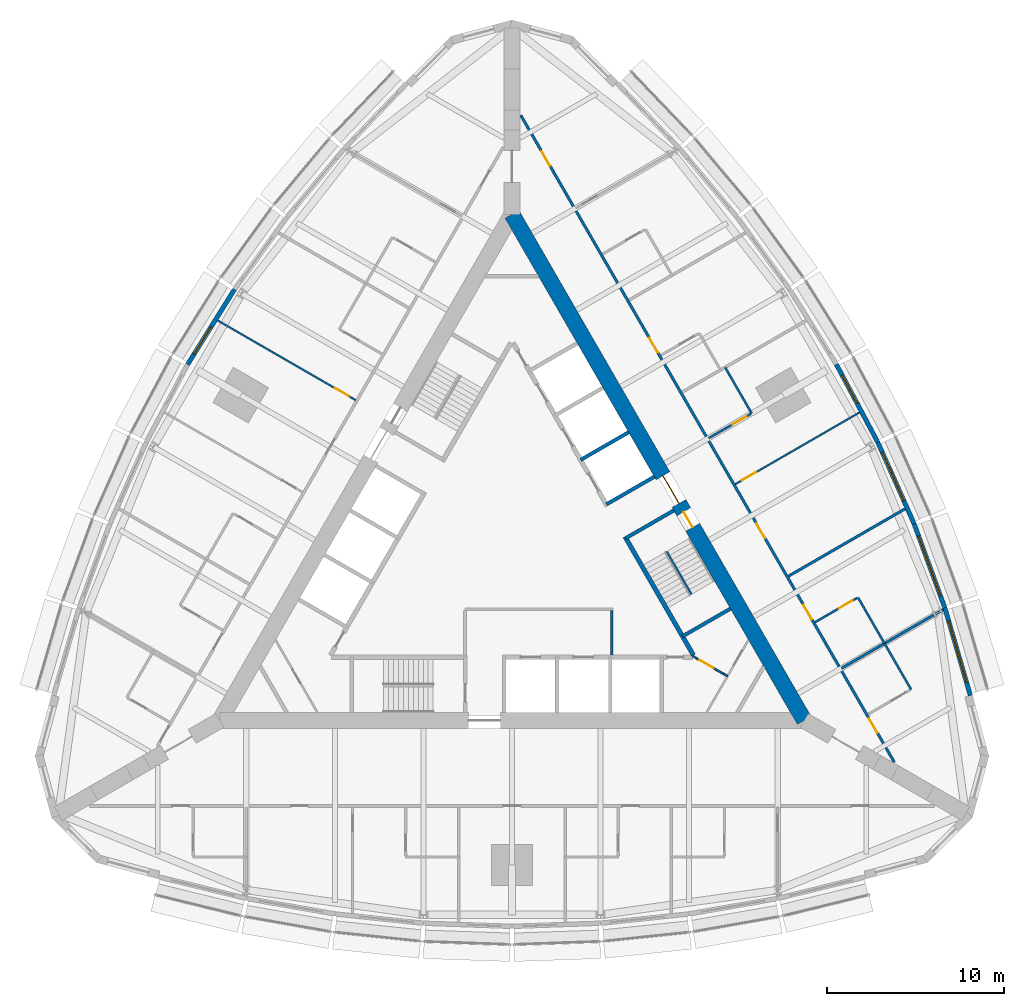
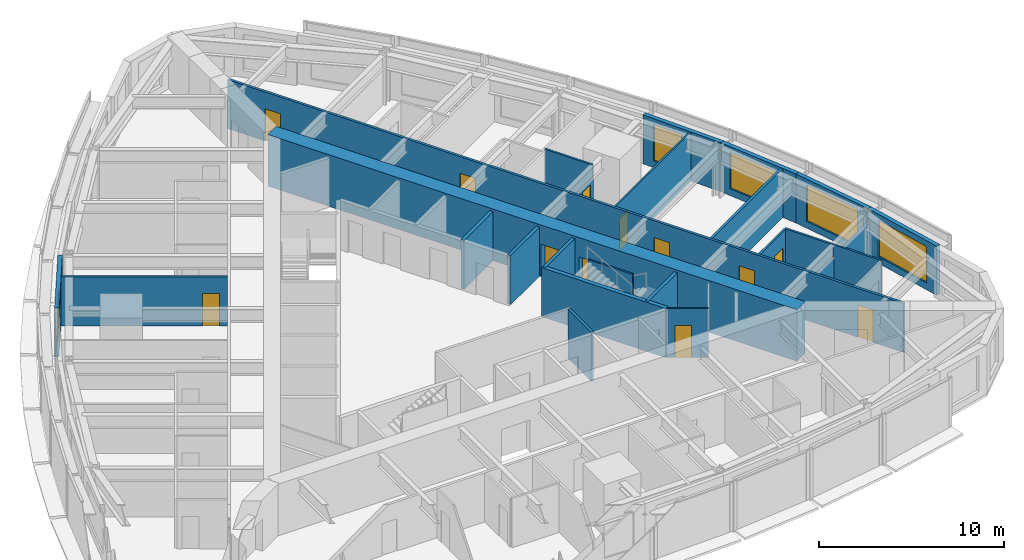
# One storey, part 11 of 14: 24 walls, 12 doors, 5 windows, 17 openings.
"""IFC4 building model written with IfcOpenShell, lengths in metres."""

from ifc_helpers import new_model, si_unit, direction, frame, frame_2d, origin, place, context, subcontext, project, spatial, rectangle, extrude, material, layer, layer_set, type_object, element, fill, save


model = new_model("IFC4")

# Units and contexts
model_context = context("Model", 3, precision=1e-05, world=origin(), true_north=direction((0.0, 1.0)))
body_context = subcontext(model_context, "Body", "Model", "MODEL_VIEW")
ifc_project = project(units=[si_unit("LENGTHUNIT", "METRE"), si_unit("AREAUNIT", "SQUARE_METRE"), si_unit("VOLUMEUNIT", "CUBIC_METRE"), si_unit("PLANEANGLEUNIT", "RADIAN"), si_unit("MASSUNIT", "GRAM", prefix="KILO")], contexts=[model_context])

# Site, building, storey
site_placement = place(None, origin())
site = spatial("IfcSite", under=ifc_project, at=site_placement, CompositionType="ELEMENT")
building_placement = place(site_placement, origin())
building = spatial("IfcBuilding", under=site, at=building_placement, Name="Trikona Tower", CompositionType="ELEMENT")
storey_placement = place(building_placement, frame((0.0, 0.0, 165.699951171875)))
storey = spatial("IfcBuildingStorey", under=building, at=storey_placement, Name="L44", CompositionType="ELEMENT", Elevation=165.699951171875)

# Walls
ifc_material_1 = material(Name="Metal stud and cement board", Category="gypsum")
ifc_layer_1 = layer(ifc_material_1, 0.1201171875)
ifc_layer_set_1 = layer_set([ifc_layer_1], Name="Bathroom wall 120")
wall_type_1 = type_object("IfcWallType", Name="Bathroom wall 120", PredefinedType="PLUMBINGWALL", material=ifc_layer_set_1)
for number, where, z_axis, x_axis, name in (
    (1, (22.53271484375, -7.775390625, 0.0), (0.0, 0.0, 1.0), (-0.499990139034, 0.866031096941, 0.0), "Bathroom wall 4405"),
    (2, (21.03271484375, -5.17724609375, 0.0), (0.0, 0.0, 1.0), (-0.499990139034, 0.866031096941, 0.0), "Bathroom wall 4406"),
):
    element("IfcWall", number, at=place(storey_placement, frame(where, z_axis=z_axis, x_axis=x_axis)), inside=storey, type_object=wall_type_1, Name=name, PredefinedType="PLUMBINGWALL", context=body_context, shape_type="SweptSolid", body=[
        extrude(rectangle(XDim=3.0, YDim=0.1201171875, at=frame_2d((1.5, 0.0))), origin(), (0.0, 0.0, 1.0), 3.235107421875),
    ])

# Wall, opening, door
wall_1_placement = place(storey_placement, frame((17.10791015625, -3.979248046875, 0.0), z_axis=(0.0, 0.0, 1.0), x_axis=(0.865997131366, 0.500048966069, 0.0)))
wall_1 = element("IfcWall", 3, at=wall_1_placement, inside=storey, type_object=wall_type_1, Name="Bathroom wall 4406", PredefinedType="PLUMBINGWALL", context=body_context, shape_type="SweptSolid", body=[
    extrude(rectangle(XDim=2.739990234375, YDim=0.1201171875, at=frame_2d((1.3701171875, 0.0))), origin(), (0.0, 0.0, 1.0), 3.235107421875),
])
opening_1_placement = place(wall_1_placement, frame((1.550048828125, 0.0, 0.0)))
opening_1 = element("IfcOpeningElement", 4, at=opening_1_placement, cuts=wall_1, Name="Opening D2", PredefinedType="OPENING", context=body_context, shape_type="SweptSolid", body=[
    extrude(rectangle(XDim=0.89990234375, YDim=2.1298828125, at=frame_2d((0.449951171875, 1.06494140625))), frame((0.0, 0.070068359375, 0.0), z_axis=(0.0, -1.0, 0.0), x_axis=(1.0, 0.0, 0.0)), (0.0, 0.0, 1.0), 0.14013671875),
])
ifc_material_2 = material(Name="Steel door frame with solid-core timber leaf", Category="steel")
door_type_1 = type_object("IfcDoorType", Name="Bathroom door 900x2130", OperationType="SLIDING_TO_LEFT", PredefinedType="DOOR", material=ifc_material_2)
door_1_placement = place(opening_1_placement, origin())
door_1 = element("IfcDoor", 5, at=door_1_placement, inside=storey, type_object=door_type_1, Name="Bathroom door 4406", OperationType="SLIDING_TO_LEFT", OverallHeight=2.1298828125, OverallWidth=0.89990234375, PredefinedType="DOOR", context=body_context, shape_type="SweptSolid", body=[
    extrude(rectangle(XDim=0.89990234375, YDim=2.1298828125, at=frame_2d((0.449951171875, 1.06494140625))), frame((0.0, 0.02490234375, 0.0), z_axis=(0.0, -1.0, 0.0), x_axis=(1.0, 0.0, 0.0)), (0.0, 0.0, 1.0), 0.050048828125),
])
fill(opening_1, door_1)

# Wall
wall_2_placement = place(storey_placement, frame((13.53271484375, 7.81298828125, 0.0), z_axis=(0.0, 0.0, 1.0), x_axis=(-0.499990139034, 0.866031096941, 0.0)))
element("IfcWall", 6, at=wall_2_placement, inside=storey, type_object=wall_type_1, Name="Bathroom wall 4407.1", PredefinedType="PLUMBINGWALL", context=body_context, shape_type="SweptSolid", body=[
    extrude(rectangle(XDim=3.0, YDim=0.1201171875, at=frame_2d((1.5, 0.0))), origin(), (0.0, 0.0, 1.0), 3.235107421875),
])

# Wall, opening, door
wall_3_placement = place(storey_placement, frame((11.10791015625, 6.4130859375, 0.0), z_axis=(0.0, 0.0, 1.0), x_axis=(0.865997131366, 0.500048966069, 0.0)))
wall_3 = element("IfcWall", 7, at=wall_3_placement, inside=storey, type_object=wall_type_1, Name="Bathroom wall 4407.1", PredefinedType="PLUMBINGWALL", context=body_context, shape_type="SweptSolid", body=[
    extrude(rectangle(XDim=2.739990234375, YDim=0.1201171875, at=frame_2d((1.3701171875, 0.0))), origin(), (0.0, 0.0, 1.0), 2.38916015625),
])
opening_2_placement = place(wall_3_placement, frame((1.550048828125, 0.0, 0.0)))
opening_2 = element("IfcOpeningElement", 8, at=opening_2_placement, cuts=wall_3, Name="Opening D2", PredefinedType="OPENING", context=body_context, shape_type="SweptSolid", body=[
    extrude(rectangle(XDim=0.89990234375, YDim=2.1298828125, at=frame_2d((0.449951171875, 1.06494140625))), frame((0.0, 0.070068359375, 0.0), z_axis=(0.0, -1.0, 0.0), x_axis=(1.0, 0.0, 0.0)), (0.0, 0.0, 1.0), 0.14013671875),
])
door_2_placement = place(opening_2_placement, origin())
door_2 = element("IfcDoor", 9, at=door_2_placement, inside=storey, type_object=door_type_1, Name="Bathroom door 4407.1", OperationType="SLIDING_TO_LEFT", OverallHeight=2.1298828125, OverallWidth=0.89990234375, PredefinedType="DOOR", context=body_context, shape_type="SweptSolid", body=[
    extrude(rectangle(XDim=0.89990234375, YDim=2.1298828125, at=frame_2d((0.449951171875, 1.06494140625))), frame((0.0, 0.02490234375, 0.0), z_axis=(0.0, -1.0, 0.0), x_axis=(1.0, 0.0, 0.0)), (0.0, 0.0, 1.0), 0.050048828125),
])
fill(opening_2, door_2)

# Wall, openings, doors
ifc_material_3 = material(Name="Concrete f'c 10000 psi", Category="concrete")
ifc_layer_2 = layer(ifc_material_3, 0.89990234375)
ifc_layer_set_2 = layer_set([ifc_layer_2], Name="Core wall 900")
wall_type_2 = type_object("IfcWallType", Name="Core wall 900", PredefinedType="SHEAR", material=ifc_layer_set_2)
wall_4_placement = place(storey_placement, frame((16.5, -9.5263671875, 0.0), z_axis=(0.0, 0.0, 1.0), x_axis=(-0.499999749417, 0.866025548458, 0.0)))
wall_4 = element("IfcWall", 10, at=wall_4_placement, inside=storey, type_object=wall_type_2, Name="Core wall B", PredefinedType="SHEAR", context=body_context, shape_type="SweptSolid", body=[
    extrude(rectangle(XDim=33.0, YDim=0.89990234375, at=frame_2d((16.5, 0.0))), origin(), (0.0, 0.0, 1.0), 3.400146484375),
])
opening_3_placement = place(wall_4_placement, frame((14.14990234375, 0.0, 0.0)))
opening_3 = element("IfcOpeningElement", 11, at=opening_3_placement, cuts=wall_4, Name="Opening D6", PredefinedType="OPENING", context=body_context, shape_type="SweptSolid", body=[
    extrude(rectangle(XDim=1.800048828125, YDim=2.1298828125, at=frame_2d((0.89990234375, 1.06494140625))), frame((0.0, 0.4599609375, 0.0), z_axis=(0.0, -1.0, 0.0), x_axis=(1.0, 0.0, 0.0)), (0.0, 0.0, 1.0), 0.919921875),
])
opening_4_placement = place(wall_4_placement, frame((12.60009765625, 0.0, 0.0)))
opening_4 = element("IfcOpeningElement", 12, at=opening_4_placement, cuts=wall_4, Name="Opening D5", PredefinedType="OPENING", context=body_context, shape_type="SweptSolid", body=[
    extrude(rectangle(XDim=1.0, YDim=2.1298828125, at=frame_2d((0.5, 1.06494140625))), frame((0.0, 0.4599609375, 0.0), z_axis=(0.0, -1.0, 0.0), x_axis=(1.0, 0.0, 0.0)), (0.0, 0.0, 1.0), 0.919921875),
])
ifc_material_4 = material(Name="Hollow metal door and frame", Category="steel")
door_type_2 = type_object("IfcDoorType", Name="Lobby door pair 1800x2130", OperationType="DOUBLE_DOOR_SINGLE_SWING", PredefinedType="DOOR", material=ifc_material_4)
door_3_placement = place(opening_3_placement, origin())
door_3 = element("IfcDoor", 13, at=door_3_placement, inside=storey, type_object=door_type_2, Name="Lift lobby door B", OperationType="DOUBLE_DOOR_SINGLE_SWING", OverallHeight=2.1298828125, OverallWidth=1.800048828125, PredefinedType="DOOR", context=body_context, shape_type="SweptSolid", body=[
    extrude(rectangle(XDim=1.800048828125, YDim=2.1298828125, at=frame_2d((0.89990234375, 1.06494140625))), frame((0.0, 0.02490234375, 0.0), z_axis=(0.0, -1.0, 0.0), x_axis=(1.0, 0.0, 0.0)), (0.0, 0.0, 1.0), 0.050048828125),
])
fill(opening_3, door_3)
ifc_material_5 = material(Name="Hollow metal door and frame", Category="steel")
door_type_3 = type_object("IfcDoorType", Name="Stair door 1000x2130", OperationType="SINGLE_SWING_LEFT", PredefinedType="DOOR", material=ifc_material_5)
door_4_placement = place(opening_4_placement, origin())
door_4 = element("IfcDoor", 14, at=door_4_placement, inside=storey, type_object=door_type_3, Name="Stair B door", OperationType="SINGLE_SWING_RIGHT", OverallHeight=2.1298828125, OverallWidth=1.0, PredefinedType="DOOR", context=body_context, shape_type="SweptSolid", body=[
    extrude(rectangle(XDim=1.0, YDim=2.1298828125, at=frame_2d((0.5, 1.06494140625))), frame((0.0, 0.02490234375, 0.0), z_axis=(0.0, -1.0, 0.0), x_axis=(1.0, 0.0, 0.0)), (0.0, 0.0, 1.0), 0.050048828125),
])
fill(opening_4, door_4)

ifc_material_6 = material(Name="Metal stud and gypsum board, 1-hour", Category="gypsum")
ifc_layer_3 = layer(ifc_material_6, 0.14990234375)
ifc_layer_set_3 = layer_set([ifc_layer_3], Name="Corridor wall 150")
wall_type_3 = type_object("IfcWallType", Name="Corridor wall 150", PredefinedType="PARTITIONING", material=ifc_layer_set_3)
wall_5_placement = place(storey_placement, frame((21.5859375, -11.88525390625, 0.0), z_axis=(0.0, 0.0, 1.0), x_axis=(-0.500001915564, 0.86602429783, 0.0)))
wall_5 = element("IfcWall", 15, at=wall_5_placement, inside=storey, type_object=wall_type_3, Name="Corridor wall L44-2", PredefinedType="PARTITIONING", context=body_context, shape_type="SweptSolid", body=[
    extrude(rectangle(XDim=42.171630859375, YDim=0.14990234375, at=frame_2d((21.0859375, 0.0))), origin(), (0.0, 0.0, 1.0), 3.235107421875),
])
opening_5_placement = place(wall_5_placement, frame((1.910888671875, 0.0, 0.0)))
opening_5 = element("IfcOpeningElement", 16, at=opening_5_placement, cuts=wall_5, Name="Opening D1", PredefinedType="OPENING", context=body_context, shape_type="SweptSolid", body=[
    extrude(rectangle(XDim=0.949951171875, YDim=2.1298828125, at=frame_2d((0.47509765625, 1.06494140625))), frame((0.0, 0.0849609375, 0.0), z_axis=(0.0, -1.0, 0.0), x_axis=(1.0, 0.0, 0.0)), (0.0, 0.0, 1.0), 0.169921875),
])
opening_6_placement = place(wall_5_placement, frame((9.310791015625, 0.0, 0.0)))
opening_6 = element("IfcOpeningElement", 17, at=opening_6_placement, cuts=wall_5, Name="Opening D1", PredefinedType="OPENING", context=body_context, shape_type="SweptSolid", body=[
    extrude(rectangle(XDim=0.949951171875, YDim=2.1298828125, at=frame_2d((0.47509765625, 1.06494140625))), frame((0.0, 0.0849609375, 0.0), z_axis=(0.0, -1.0, 0.0), x_axis=(1.0, 0.0, 0.0)), (0.0, 0.0, 1.0), 0.169921875),
])
opening_7_placement = place(wall_5_placement, frame((14.61083984375, 0.0, 0.0)))
opening_7 = element("IfcOpeningElement", 18, at=opening_7_placement, cuts=wall_5, Name="Opening D1", PredefinedType="OPENING", context=body_context, shape_type="SweptSolid", body=[
    extrude(rectangle(XDim=0.949951171875, YDim=2.1298828125, at=frame_2d((0.47509765625, 1.06494140625))), frame((0.0, 0.0849609375, 0.0), z_axis=(0.0, -1.0, 0.0), x_axis=(1.0, 0.0, 0.0)), (0.0, 0.0, 1.0), 0.169921875),
])
opening_8_placement = place(wall_5_placement, frame((26.7109375, 0.0, 0.0)))
opening_8 = element("IfcOpeningElement", 19, at=opening_8_placement, cuts=wall_5, Name="Opening D1", PredefinedType="OPENING", context=body_context, shape_type="SweptSolid", body=[
    extrude(rectangle(XDim=0.949951171875, YDim=2.1298828125, at=frame_2d((0.47509765625, 1.06494140625))), frame((0.0, 0.0849609375, 0.0), z_axis=(0.0, -1.0, 0.0), x_axis=(1.0, 0.0, 0.0)), (0.0, 0.0, 1.0), 0.169921875),
])
opening_9_placement = place(wall_5_placement, frame((38.884033203125, 0.0, 0.0)))
opening_9 = element("IfcOpeningElement", 20, at=opening_9_placement, cuts=wall_5, Name="Opening D1", PredefinedType="OPENING", context=body_context, shape_type="SweptSolid", body=[
    extrude(rectangle(XDim=0.949951171875, YDim=2.1298828125, at=frame_2d((0.47509765625, 1.06494140625))), frame((0.0, 0.0849609375, 0.0), z_axis=(0.0, -1.0, 0.0), x_axis=(1.0, 0.0, 0.0)), (0.0, 0.0, 1.0), 0.169921875),
])
ifc_material_7 = material(Name="Steel door frame with solid-core timber leaf", Category="steel")
door_type_4 = type_object("IfcDoorType", Name="Guest room door 950x2130", OperationType="SINGLE_SWING_LEFT", PredefinedType="DOOR", material=ifc_material_7)
door_5_placement = place(opening_5_placement, origin())
door_5 = element("IfcDoor", 21, at=door_5_placement, inside=storey, type_object=door_type_4, Name="Room door 4405", OperationType="SINGLE_SWING_LEFT", OverallHeight=2.1298828125, OverallWidth=0.949951171875, PredefinedType="DOOR", context=body_context, shape_type="SweptSolid", body=[
    extrude(rectangle(XDim=0.949951171875, YDim=2.1298828125, at=frame_2d((0.47509765625, 1.06494140625))), frame((0.0, 0.02490234375, 0.0), z_axis=(0.0, -1.0, 0.0), x_axis=(1.0, 0.0, 0.0)), (0.0, 0.0, 1.0), 0.050048828125),
])
fill(opening_5, door_5)
door_6_placement = place(opening_6_placement, origin())
door_6 = element("IfcDoor", 22, at=door_6_placement, inside=storey, type_object=door_type_4, Name="Room door 4406", OperationType="SINGLE_SWING_RIGHT", OverallHeight=2.1298828125, OverallWidth=0.949951171875, PredefinedType="DOOR", context=body_context, shape_type="SweptSolid", body=[
    extrude(rectangle(XDim=0.949951171875, YDim=2.1298828125, at=frame_2d((0.47509765625, 1.06494140625))), frame((0.0, 0.02490234375, 0.0), z_axis=(0.0, -1.0, 0.0), x_axis=(1.0, 0.0, 0.0)), (0.0, 0.0, 1.0), 0.050048828125),
])
fill(opening_6, door_6)
door_7_placement = place(opening_7_placement, origin())
door_7 = element("IfcDoor", 23, at=door_7_placement, inside=storey, type_object=door_type_4, Name="Room door 4407", OperationType="SINGLE_SWING_LEFT", OverallHeight=2.1298828125, OverallWidth=0.949951171875, PredefinedType="DOOR", context=body_context, shape_type="SweptSolid", body=[
    extrude(rectangle(XDim=0.949951171875, YDim=2.1298828125, at=frame_2d((0.47509765625, 1.06494140625))), frame((0.0, 0.02490234375, 0.0), z_axis=(0.0, -1.0, 0.0), x_axis=(1.0, 0.0, 0.0)), (0.0, 0.0, 1.0), 0.050048828125),
])
fill(opening_7, door_7)
door_8_placement = place(opening_8_placement, origin())
door_8 = element("IfcDoor", 24, at=door_8_placement, inside=storey, type_object=door_type_4, Name="Room door 4408", OperationType="SINGLE_SWING_RIGHT", OverallHeight=2.1298828125, OverallWidth=0.949951171875, PredefinedType="DOOR", context=body_context, shape_type="SweptSolid", body=[
    extrude(rectangle(XDim=0.949951171875, YDim=2.1298828125, at=frame_2d((0.47509765625, 1.06494140625))), frame((0.0, 0.02490234375, 0.0), z_axis=(0.0, -1.0, 0.0), x_axis=(1.0, 0.0, 0.0)), (0.0, 0.0, 1.0), 0.050048828125),
])
fill(opening_8, door_8)
door_9_placement = place(opening_9_placement, origin())
door_9 = element("IfcDoor", 25, at=door_9_placement, inside=storey, type_object=door_type_4, Name="Room door 4409", OperationType="SINGLE_SWING_RIGHT", OverallHeight=2.1298828125, OverallWidth=0.949951171875, PredefinedType="DOOR", context=body_context, shape_type="SweptSolid", body=[
    extrude(rectangle(XDim=0.949951171875, YDim=2.1298828125, at=frame_2d((0.47509765625, 1.06494140625))), frame((0.0, 0.02490234375, 0.0), z_axis=(0.0, -1.0, 0.0), x_axis=(1.0, 0.0, 0.0)), (0.0, 0.0, 1.0), 0.050048828125),
])
fill(opening_9, door_9)

# Wall
ifc_material_8 = material(Name="Concrete f'c 8000 psi", Category="concrete")
ifc_layer_4 = layer(ifc_material_8, 0.25)
ifc_layer_set_4 = layer_set([ifc_layer_4], Name="Hub wall 250")
wall_type_4 = type_object("IfcWallType", Name="Hub wall 250", PredefinedType="SOLIDWALL", material=ifc_layer_set_4)
wall_6_placement = place(storey_placement, frame((10.245361328125, -5.843017578125, 0.0), z_axis=(0.0, 0.0, 1.0), x_axis=(-0.499993009313, 0.866029439822, 0.0)))
element("IfcWall", 26, at=wall_6_placement, inside=storey, type_object=wall_type_4, Name="Lift lobby wall B1", PredefinedType="SOLIDWALL", context=body_context, shape_type="SweptSolid", body=[
    extrude(rectangle(XDim=7.73291015625, YDim=0.25, at=frame_2d((3.866455078125, 0.0))), origin(), (0.0, 0.0, 1.0), 3.235107421875),
])

# Wall, opening, window
ifc_material_9 = material(Name="Insulated precast concrete spandrel panel", Category="concrete")
ifc_layer_5 = layer(ifc_material_9, 0.25)
ifc_layer_set_5 = layer_set([ifc_layer_5], Name="Inner skin wall 250")
wall_type_5 = type_object("IfcWallType", Name="Inner skin wall 250", PredefinedType="STANDARD", material=ifc_layer_set_5)
wall_7_placement = place(storey_placement, frame((25.8798828125, -8.117919921875, 0.0), z_axis=(0.0, 0.0, 1.0), x_axis=(-0.279528287117, 0.960137457191, 0.0)))
wall_7 = element("IfcWall", 27, at=wall_7_placement, inside=storey, type_object=wall_type_5, Name="External wall L44-12", PredefinedType="STANDARD", context=body_context, shape_type="SweptSolid", body=[
    extrude(rectangle(XDim=5.14794921875, YDim=0.25, at=frame_2d((2.573974609375, 0.0))), origin(), (0.0, 0.0, 1.0), 3.235107421875),
])
opening_10_placement = place(wall_7_placement, frame((0.77392578125, 0.0, 0.449951171875)))
opening_10 = element("IfcOpeningElement", 28, at=opening_10_placement, cuts=wall_7, Name="Opening W3624", PredefinedType="OPENING", context=body_context, shape_type="SweptSolid", body=[
    extrude(rectangle(XDim=3.60009765625, YDim=2.39990234375, at=frame_2d((1.800048828125, 1.199951171875))), frame((0.0, 0.135009765625, 0.0), z_axis=(0.0, -1.0, 0.0), x_axis=(1.0, 0.0, 0.0)), (0.0, 0.0, 1.0), 0.27001953125),
])
ifc_material_10 = material(Name="Aluminium-framed double glazing", Category="aluminium")
window_type_1 = type_object("IfcWindowType", Name="Window 3600x2400", PartitioningType="SINGLE_PANEL", PredefinedType="WINDOW", material=ifc_material_10)
window_1_placement = place(opening_10_placement, origin())
window_1 = element("IfcWindow", 29, at=window_1_placement, inside=storey, type_object=window_type_1, Name="Window 4405", OverallHeight=2.39990234375, OverallWidth=3.60009765625, PartitioningType="SINGLE_PANEL", PredefinedType="WINDOW", context=body_context, shape_type="SweptSolid", body=[
    extrude(rectangle(XDim=3.60009765625, YDim=2.39990234375, at=frame_2d((1.800048828125, 1.199951171875))), frame((0.0, 0.030029296875, 0.0), z_axis=(0.0, -1.0, 0.0), x_axis=(1.0, 0.0, 0.0)), (0.0, 0.0, 1.0), 0.06005859375),
])
fill(opening_10, window_1)

wall_8_placement = place(storey_placement, frame((24.443603515625, -3.18310546875, 0.0), z_axis=(0.0, 0.0, 1.0), x_axis=(-0.343225593282, 0.939252996863, 0.0)))
wall_8 = element("IfcWall", 30, at=wall_8_placement, inside=storey, type_object=wall_type_5, Name="External wall L44-13", PredefinedType="STANDARD", context=body_context, shape_type="SweptSolid", body=[
    extrude(rectangle(XDim=5.075927734375, YDim=0.25, at=frame_2d((2.5380859375, 0.0))), origin(), (0.0, 0.0, 1.0), 3.235107421875),
])
opening_11_placement = place(wall_8_placement, frame((0.738037109375, 0.0, 0.449951171875)))
opening_11 = element("IfcOpeningElement", 31, at=opening_11_placement, cuts=wall_8, Name="Opening W3624", PredefinedType="OPENING", context=body_context, shape_type="SweptSolid", body=[
    extrude(rectangle(XDim=3.60009765625, YDim=2.39990234375, at=frame_2d((1.800048828125, 1.199951171875))), frame((0.0, 0.135009765625, 0.0), z_axis=(0.0, -1.0, 0.0), x_axis=(1.0, 0.0, 0.0)), (0.0, 0.0, 1.0), 0.27001953125),
])
window_2_placement = place(opening_11_placement, origin())
window_2 = element("IfcWindow", 32, at=window_2_placement, inside=storey, type_object=window_type_1, Name="Window 4406", OverallHeight=2.39990234375, OverallWidth=3.60009765625, PartitioningType="SINGLE_PANEL", PredefinedType="WINDOW", context=body_context, shape_type="SweptSolid", body=[
    extrude(rectangle(XDim=3.60009765625, YDim=2.39990234375, at=frame_2d((1.800048828125, 1.199951171875))), frame((0.0, 0.030029296875, 0.0), z_axis=(0.0, -1.0, 0.0), x_axis=(1.0, 0.0, 0.0)), (0.0, 0.0, 1.0), 0.06005859375),
])
fill(opening_11, window_2)

wall_9_placement = place(storey_placement, frame((22.70458984375, 1.576416015625, 0.0), z_axis=(0.0, 0.0, 1.0), x_axis=(-0.406832200364, 0.913502906808, 0.0)))
wall_9 = element("IfcWall", 33, at=wall_9_placement, inside=storey, type_object=wall_type_5, Name="External wall L44-14", PredefinedType="STANDARD", context=body_context, shape_type="SweptSolid", body=[
    extrude(rectangle(XDim=5.027587890625, YDim=0.25, at=frame_2d((2.513671875, 0.0))), origin(), (0.0, 0.0, 1.0), 3.235107421875),
])
opening_12_placement = place(wall_9_placement, frame((1.41796875, 0.0, 0.449951171875)))
opening_12 = element("IfcOpeningElement", 34, at=opening_12_placement, cuts=wall_9, Name="Opening W3024", PredefinedType="OPENING", context=body_context, shape_type="SweptSolid", body=[
    extrude(rectangle(XDim=3.0, YDim=2.39990234375, at=frame_2d((1.5, 1.199951171875))), frame((0.0, 0.135009765625, 0.0), z_axis=(0.0, -1.0, 0.0), x_axis=(1.0, 0.0, 0.0)), (0.0, 0.0, 1.0), 0.27001953125),
])
ifc_material_11 = material(Name="Aluminium-framed double glazing", Category="aluminium")
window_type_2 = type_object("IfcWindowType", Name="Window 3000x2400", PartitioningType="SINGLE_PANEL", PredefinedType="WINDOW", material=ifc_material_11)
window_3_placement = place(opening_12_placement, origin())
window_3 = element("IfcWindow", 35, at=window_3_placement, inside=storey, type_object=window_type_2, Name="Window 4407", OverallHeight=2.39990234375, OverallWidth=3.0, PartitioningType="SINGLE_PANEL", PredefinedType="WINDOW", context=body_context, shape_type="SweptSolid", body=[
    extrude(rectangle(XDim=3.0, YDim=2.39990234375, at=frame_2d((1.5, 1.199951171875))), frame((0.0, 0.030029296875, 0.0), z_axis=(0.0, -1.0, 0.0), x_axis=(1.0, 0.0, 0.0)), (0.0, 0.0, 1.0), 0.06005859375),
])
fill(opening_12, window_3)

wall_10_placement = place(storey_placement, frame((20.662841796875, 6.161376953125, 0.0), z_axis=(0.0, 0.0, 1.0), x_axis=(-0.469404966864, 0.882982999317, 0.0)))
wall_10 = element("IfcWall", 36, at=wall_10_placement, inside=storey, type_object=wall_type_5, Name="External wall L44-15", PredefinedType="STANDARD", context=body_context, shape_type="SweptSolid", body=[
    extrude(rectangle(XDim=5.0029296875, YDim=0.25, at=frame_2d((2.50146484375, 0.0))), origin(), (0.0, 0.0, 1.0), 3.235107421875),
])
opening_13_placement = place(wall_10_placement, frame((2.519287109375, 0.0, 0.449951171875)))
opening_13 = element("IfcOpeningElement", 37, at=opening_13_placement, cuts=wall_10, Name="Opening W1824", PredefinedType="OPENING", context=body_context, shape_type="SweptSolid", body=[
    extrude(rectangle(XDim=1.800048828125, YDim=2.39990234375, at=frame_2d((0.89990234375, 1.199951171875))), frame((0.0, 0.135009765625, 0.0), z_axis=(0.0, -1.0, 0.0), x_axis=(1.0, 0.0, 0.0)), (0.0, 0.0, 1.0), 0.27001953125),
])
ifc_material_12 = material(Name="Aluminium-framed double glazing", Category="aluminium")
window_type_3 = type_object("IfcWindowType", Name="Window 1800x2400", PartitioningType="SINGLE_PANEL", PredefinedType="WINDOW", material=ifc_material_12)
window_4_placement = place(opening_13_placement, origin())
window_4 = element("IfcWindow", 38, at=window_4_placement, inside=storey, type_object=window_type_3, Name="Window 4407.1", OverallHeight=2.39990234375, OverallWidth=1.800048828125, PartitioningType="SINGLE_PANEL", PredefinedType="WINDOW", context=body_context, shape_type="SweptSolid", body=[
    extrude(rectangle(XDim=1.800048828125, YDim=2.39990234375, at=frame_2d((0.89990234375, 1.199951171875))), frame((0.0, 0.030029296875, 0.0), z_axis=(0.0, -1.0, 0.0), x_axis=(1.0, 0.0, 0.0)), (0.0, 0.0, 1.0), 0.06005859375),
])
fill(opening_13, window_4)

wall_11_placement = place(storey_placement, frame((-15.667236328125, 14.81396484375, 0.0), z_axis=(0.0, 0.0, 1.0), x_axis=(-0.529990167382, -0.84800378683, 0.0)))
wall_11 = element("IfcWall", 39, at=wall_11_placement, inside=storey, type_object=wall_type_5, Name="External wall L44-27", PredefinedType="STANDARD", context=body_context, shape_type="SweptSolid", body=[
    extrude(rectangle(XDim=5.003173828125, YDim=0.25, at=frame_2d((2.50146484375, 0.0))), origin(), (0.0, 0.0, 1.0), 3.235107421875),
])
opening_14_placement = place(wall_11_placement, frame((2.519287109375, 0.0, 0.449951171875)))
opening_14 = element("IfcOpeningElement", 40, at=opening_14_placement, cuts=wall_11, Name="Opening W1824", PredefinedType="OPENING", context=body_context, shape_type="SweptSolid", body=[
    extrude(rectangle(XDim=1.800048828125, YDim=2.39990234375, at=frame_2d((0.89990234375, 1.199951171875))), frame((0.0, 0.135009765625, 0.0), z_axis=(0.0, -1.0, 0.0), x_axis=(1.0, 0.0, 0.0)), (0.0, 0.0, 1.0), 0.27001953125),
])
window_5_placement = place(opening_14_placement, origin())
window_5 = element("IfcWindow", 41, at=window_5_placement, inside=storey, type_object=window_type_3, Name="Window 4411", OverallHeight=2.39990234375, OverallWidth=1.800048828125, PartitioningType="SINGLE_PANEL", PredefinedType="WINDOW", context=body_context, shape_type="SweptSolid", body=[
    extrude(rectangle(XDim=1.800048828125, YDim=2.39990234375, at=frame_2d((0.89990234375, 1.199951171875))), frame((0.0, 0.030029296875, 0.0), z_axis=(0.0, -1.0, 0.0), x_axis=(1.0, 0.0, 0.0)), (0.0, 0.0, 1.0), 0.06005859375),
])
fill(opening_14, window_5)

# Walls
ifc_material_13 = material(Name="Metal stud and gypsum board, 2-hour shaft wall", Category="gypsum")
ifc_layer_6 = layer(ifc_material_13, 0.14990234375)
ifc_layer_set_6 = layer_set([ifc_layer_6], Name="Lobby wall 150")
wall_type_6 = type_object("IfcWallType", Name="Lobby wall 150", PredefinedType="PARTITIONING", material=ifc_layer_set_6)
wall_12_placement = place(storey_placement, frame((5.625, -5.826416015625, 0.0), z_axis=(0.0, 0.0, 1.0), x_axis=(0.0, 1.0, 0.0)))
element("IfcWall", 42, at=wall_12_placement, inside=storey, type_object=wall_type_6, Name="Fire service lift lobby wall 3", PredefinedType="PARTITIONING", context=body_context, shape_type="SweptSolid", body=[
    extrude(rectangle(XDim=2.5, YDim=0.14990234375, at=frame_2d((1.25, 0.0))), origin(), (0.0, 0.0, 1.0), 3.235107421875),
])
ifc_material_14 = material(Name="Metal stud and gypsum board, 1-hour acoustic", Category="gypsum")
ifc_layer_7 = layer(ifc_material_14, 0.14990234375)
ifc_layer_set_7 = layer_set([ifc_layer_7], Name="Party wall 150")
wall_type_7 = type_object("IfcWallType", Name="Party wall 150", PredefinedType="PARTITIONING", material=ifc_layer_set_7)
wall_13_placement = place(storey_placement, frame((18.60791015625, -6.5771484375, 0.0), z_axis=(0.0, 0.0, 1.0), x_axis=(0.866031967744, 0.499988630717, 0.0)))
element("IfcWall", 43, at=wall_13_placement, inside=storey, type_object=wall_type_7, Name="Partition L44 F2 u-15", PredefinedType="PARTITIONING", context=body_context, shape_type="SweptSolid", body=[
    extrude(rectangle(XDim=6.616455078125, YDim=0.14990234375, at=frame_2d((3.30810546875, 0.0))), origin(), (0.0, 0.0, 1.0), 2.38916015625),
])
wall_14_placement = place(storey_placement, frame((15.60791015625, -1.381103515625, 0.0), z_axis=(0.0, 0.0, 1.0), x_axis=(0.866025154315, 0.500000432093, 0.0)))
element("IfcWall", 44, at=wall_14_placement, inside=storey, type_object=wall_type_7, Name="Partition L44 F2 u-9", PredefinedType="PARTITIONING", context=body_context, shape_type="SweptSolid", body=[
    extrude(rectangle(XDim=7.6025390625, YDim=0.14990234375, at=frame_2d((3.80126953125, 0.0))), origin(), (0.0, 0.0, 1.0), 3.235107421875),
])
ifc_material_15 = material(Name="Concrete f'c 8000 psi", Category="concrete")
ifc_layer_8 = layer(ifc_material_15, 0.199951171875)
ifc_layer_set_8 = layer_set([ifc_layer_8], Name="Shaft wall 200")
wall_type_8 = type_object("IfcWallType", Name="Shaft wall 200", PredefinedType="SOLIDWALL", material=ifc_layer_set_8)
for number, where, z_axis, x_axis, name in (
    (45, (5.3291015625, 2.672607421875, 0.0), (0.0, 0.0, 1.0), (0.866022959057, 0.500004234368, 0.0), "Shaft wall B3"),
    (46, (3.87890625, 5.18408203125, 0.0), (0.0, 0.0, 1.0), (0.866022959057, 0.500004234368, 0.0), "Shaft wall B4"),
):
    element("IfcWall", number, at=place(storey_placement, frame(where, z_axis=z_axis, x_axis=x_axis)), inside=storey, type_object=wall_type_8, Name=name, PredefinedType="SOLIDWALL", context=body_context, shape_type="SweptSolid", body=[
        extrude(rectangle(XDim=3.125, YDim=0.199951171875, at=frame_2d((1.5625, 0.0))), origin(), (0.0, 0.0, 1.0), 3.235107421875),
    ])
ifc_material_16 = material(Name="Concrete f'c 8000 psi", Category="concrete")
ifc_layer_9 = layer(ifc_material_16, 0.199951171875)
ifc_layer_set_9 = layer_set([ifc_layer_9], Name="Shaft wall 200 load-bearing")
wall_type_9 = type_object("IfcWallType", Name="Shaft wall 200 load-bearing", PredefinedType="SOLIDWALL", material=ifc_layer_set_9)
for number, where, z_axis, x_axis, name in (
    (47, (9.62890625, -4.775390625, 0.0), (0.0, 0.0, 1.0), (0.866022959057, 0.500004234368, 0.0), "Shaft wall B1"),
    (48, (6.428955078125, 0.767333984375, 0.0), (0.0, 0.0, 1.0), (0.866022959057, 0.500004234368, 0.0), "Shaft wall B2"),
):
    element("IfcWall", number, at=place(storey_placement, frame(where, z_axis=z_axis, x_axis=x_axis)), inside=storey, type_object=wall_type_9, Name=name, PredefinedType="SOLIDWALL", context=body_context, shape_type="SweptSolid", body=[
        extrude(rectangle(XDim=3.125, YDim=0.199951171875, at=frame_2d((1.5625, 0.0))), origin(), (0.0, 0.0, 1.0), 3.235107421875),
    ])
ifc_material_17 = material(Name="Concrete f'c 5000 psi", Category="concrete")
ifc_layer_10 = layer(ifc_material_17, 0.10009765625)
ifc_layer_set_10 = layer_set([ifc_layer_10], Name="Stair spine wall 100")
wall_type_10 = type_object("IfcWallType", Name="Stair spine wall 100", PredefinedType="SOLIDWALL", material=ifc_layer_set_10)
wall_15_placement = place(storey_placement, frame((10.134765625, -2.4013671875, 0.0), z_axis=(0.0, 0.0, 1.0), x_axis=(-0.499992232847, 0.866029888106, 0.0)))
element("IfcWall", 49, at=wall_15_placement, inside=storey, type_object=wall_type_10, Name="Stair B spine wall L44", PredefinedType="SOLIDWALL", context=body_context, shape_type="SweptSolid", body=[
    extrude(rectangle(XDim=2.7939453125, YDim=0.10009765625, at=frame_2d((1.39697265625, 0.0))), origin(), (0.0, 0.0, 1.0), 3.400146484375),
])

# Wall, opening, door
ifc_material_18 = material(Name="Metal stud and gypsum board, acoustic", Category="gypsum")
ifc_layer_11 = layer(ifc_material_18, 0.10009765625)
ifc_layer_set_11 = layer_set([ifc_layer_11], Name="Suite partition 100")
wall_type_11 = type_object("IfcWallType", Name="Suite partition 100", PredefinedType="PARTITIONING", material=ifc_layer_set_11)
wall_16_placement = place(storey_placement, frame((12.60791015625, 3.815185546875, 0.0), z_axis=(0.0, 0.0, 1.0), x_axis=(0.866021827868, 0.500006193617, 0.0)))
wall_16 = element("IfcWall", 50, at=wall_16_placement, inside=storey, type_object=wall_type_11, Name="Suite partition L44 F2 u-3", PredefinedType="PARTITIONING", context=body_context, shape_type="SweptSolid", body=[
    extrude(rectangle(XDim=8.09375, YDim=0.10009765625, at=frame_2d((4.046875, 0.0))), origin(), (0.0, 0.0, 1.0), 3.235107421875),
])
opening_15_placement = place(wall_16_placement, frame((0.449951171875, 0.0, 0.0)))
opening_15 = element("IfcOpeningElement", 51, at=opening_15_placement, cuts=wall_16, Name="Opening D13", PredefinedType="OPENING", context=body_context, shape_type="SweptSolid", body=[
    extrude(rectangle(XDim=0.89990234375, YDim=2.1298828125, at=frame_2d((0.449951171875, 1.06494140625))), frame((0.0, 0.06005859375, 0.0), z_axis=(0.0, -1.0, 0.0), x_axis=(1.0, 0.0, 0.0)), (0.0, 0.0, 1.0), 0.1201171875),
])
ifc_material_19 = material(Name="Steel door frame with solid-core timber leaf", Category="steel")
door_type_5 = type_object("IfcDoorType", Name="Suite door 900x2130", OperationType="SINGLE_SWING_LEFT", PredefinedType="DOOR", material=ifc_material_19)
door_10_placement = place(opening_15_placement, origin())
door_10 = element("IfcDoor", 52, at=door_10_placement, inside=storey, type_object=door_type_5, Name="Suite door 4407", OperationType="SINGLE_SWING_LEFT", OverallHeight=2.1298828125, OverallWidth=0.89990234375, PredefinedType="DOOR", context=body_context, shape_type="SweptSolid", body=[
    extrude(rectangle(XDim=0.89990234375, YDim=2.1298828125, at=frame_2d((0.449951171875, 1.06494140625))), frame((0.0, 0.02490234375, 0.0), z_axis=(0.0, -1.0, 0.0), x_axis=(1.0, 0.0, 0.0)), (0.0, 0.0, 1.0), 0.050048828125),
])
fill(opening_15, door_10)

wall_17_placement = place(storey_placement, frame((-8.82861328125, 8.561279296875, 0.0), z_axis=(0.0, 0.0, 1.0), x_axis=(-0.866021034389, 0.500007567939, 0.0)))
wall_17 = element("IfcWall", 53, at=wall_17_placement, inside=storey, type_object=wall_type_11, Name="Suite partition L44 F3 u-3", PredefinedType="PARTITIONING", context=body_context, shape_type="SweptSolid", body=[
    extrude(rectangle(XDim=8.993408203125, YDim=0.10009765625, at=frame_2d((4.49658203125, 0.0))), origin(), (0.0, 0.0, 1.0), 3.235107421875),
])
opening_16_placement = place(wall_17_placement, frame((0.449951171875, 0.0, 0.0)))
opening_16 = element("IfcOpeningElement", 54, at=opening_16_placement, cuts=wall_17, Name="Opening D13", PredefinedType="OPENING", context=body_context, shape_type="SweptSolid", body=[
    extrude(rectangle(XDim=0.89990234375, YDim=2.1298828125, at=frame_2d((0.449951171875, 1.06494140625))), frame((0.0, 0.06005859375, 0.0), z_axis=(0.0, -1.0, 0.0), x_axis=(1.0, 0.0, 0.0)), (0.0, 0.0, 1.0), 0.1201171875),
])
door_11_placement = place(opening_16_placement, origin())
door_11 = element("IfcDoor", 55, at=door_11_placement, inside=storey, type_object=door_type_5, Name="Suite door 4411", OperationType="SINGLE_SWING_LEFT", OverallHeight=2.1298828125, OverallWidth=0.89990234375, PredefinedType="DOOR", context=body_context, shape_type="SweptSolid", body=[
    extrude(rectangle(XDim=0.89990234375, YDim=2.1298828125, at=frame_2d((0.449951171875, 1.06494140625))), frame((0.0, 0.02490234375, 0.0), z_axis=(0.0, -1.0, 0.0), x_axis=(1.0, 0.0, 0.0)), (0.0, 0.0, 1.0), 0.050048828125),
])
fill(opening_16, door_11)

wall_18_placement = place(storey_placement, frame((12.169921875, -7.0263671875, 0.0), z_axis=(0.0, 0.0, 1.0), x_axis=(-0.866015833478, 0.50001657589, 0.0)))
wall_18 = element("IfcWall", 56, at=wall_18_placement, inside=storey, type_object=wall_type_11, Name="Store partition L44-RS1", PredefinedType="PARTITIONING", context=body_context, shape_type="SweptSolid", body=[
    extrude(rectangle(XDim=2.275390625, YDim=0.10009765625, at=frame_2d((1.1376953125, 0.0))), origin(), (0.0, 0.0, 1.0), 3.235107421875),
])
opening_17_placement = place(wall_18_placement, frame((0.9150390625, 0.0, 0.0)))
opening_17 = element("IfcOpeningElement", 57, at=opening_17_placement, cuts=wall_18, Name="Opening D15", PredefinedType="OPENING", context=body_context, shape_type="SweptSolid", body=[
    extrude(rectangle(XDim=0.89990234375, YDim=2.1298828125, at=frame_2d((0.449951171875, 1.06494140625))), frame((0.0, 0.06005859375, 0.0), z_axis=(0.0, -1.0, 0.0), x_axis=(1.0, 0.0, 0.0)), (0.0, 0.0, 1.0), 0.1201171875),
])
ifc_material_20 = material(Name="Steel door frame with solid-core timber leaf", Category="steel")
door_type_6 = type_object("IfcDoorType", Name="Store door 900x2130", OperationType="SINGLE_SWING_LEFT", PredefinedType="DOOR", material=ifc_material_20)
door_12_placement = place(opening_17_placement, origin())
door_12 = element("IfcDoor", 58, at=door_12_placement, inside=storey, type_object=door_type_6, Name="Door Minibar store MBS", OperationType="SINGLE_SWING_RIGHT", OverallHeight=2.1298828125, OverallWidth=0.89990234375, PredefinedType="DOOR", context=body_context, shape_type="SweptSolid", body=[
    extrude(rectangle(XDim=0.89990234375, YDim=2.1298828125, at=frame_2d((0.449951171875, 1.06494140625))), frame((0.0, 0.02490234375, 0.0), z_axis=(0.0, -1.0, 0.0), x_axis=(1.0, 0.0, 0.0)), (0.0, 0.0, 1.0), 0.050048828125),
])
fill(opening_17, door_12)

save(model, "model.ifc")
